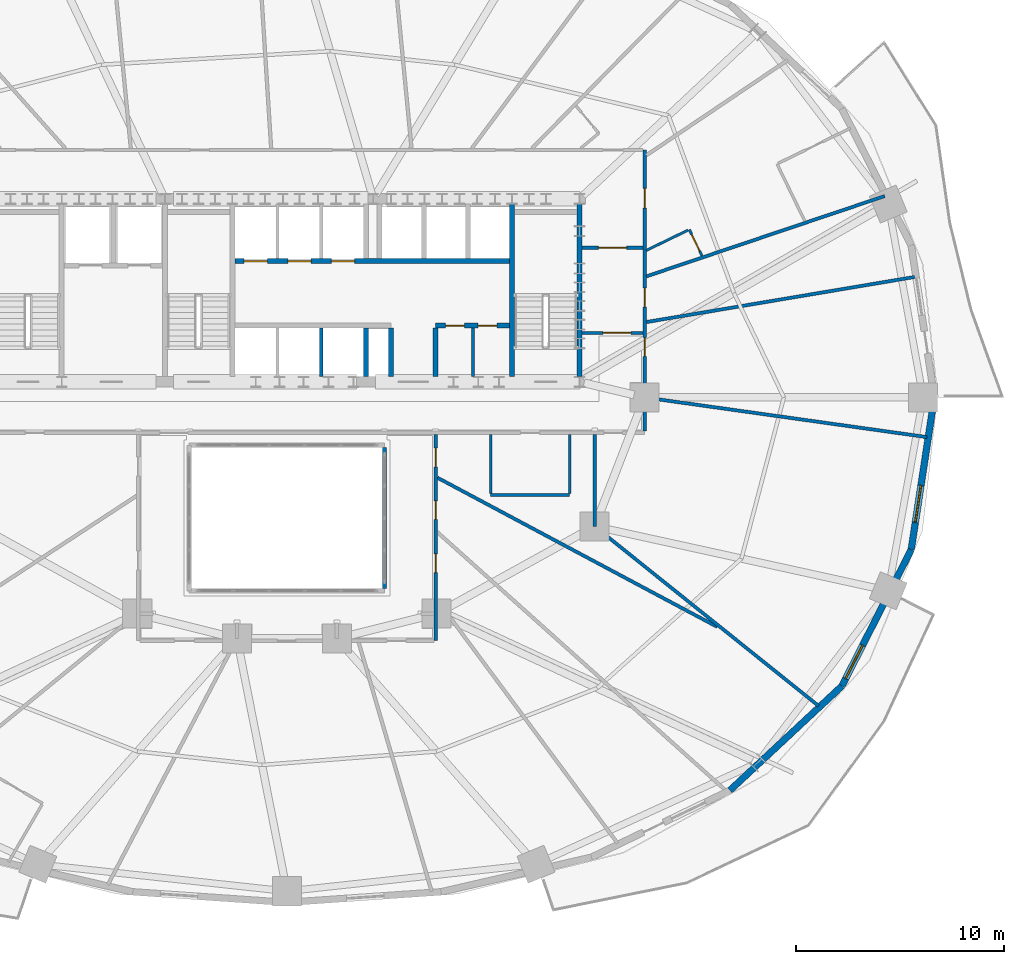
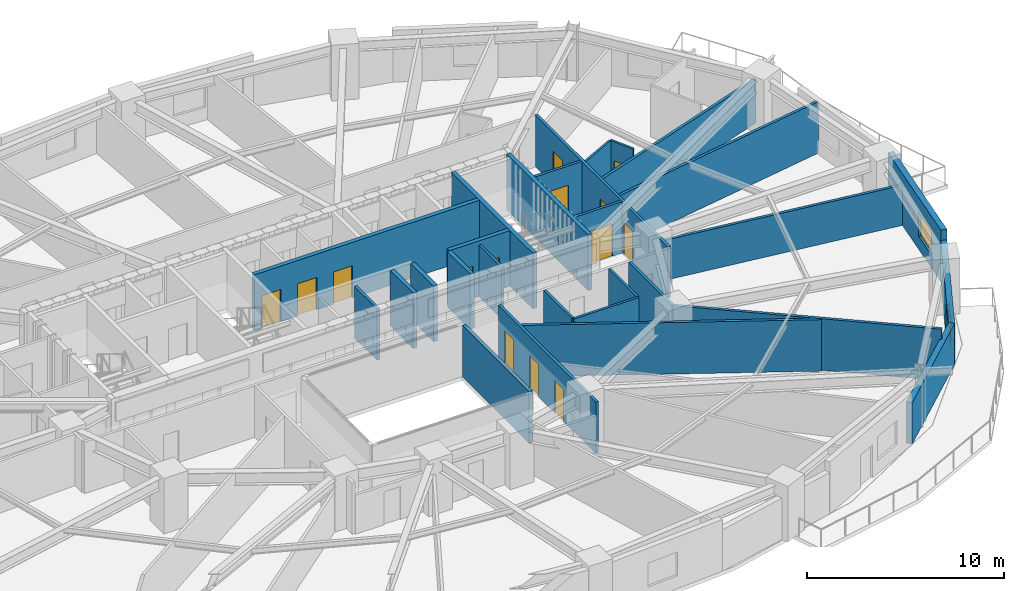
# One storey, part 11 of 17: 28 walls, 14 doors, 2 windows, 16 openings.
"""IFC4 building model written with IfcOpenShell, lengths in metres."""

from ifc_helpers import new_model, si_unit, direction, frame, frame_2d, origin, place, context, subcontext, project, spatial, rectangle, extrude, material, layer, layer_set, type_object, element, fill, save


model = new_model("IFC4")

# Units and contexts
model_context = context("Model", 3, precision=1e-05, world=origin(), true_north=direction((0.0, 1.0)))
body_context = subcontext(model_context, "Body", "Model", "MODEL_VIEW")
ifc_project = project(units=[si_unit("LENGTHUNIT", "METRE"), si_unit("AREAUNIT", "SQUARE_METRE"), si_unit("VOLUMEUNIT", "CUBIC_METRE"), si_unit("PLANEANGLEUNIT", "RADIAN"), si_unit("MASSUNIT", "GRAM", prefix="KILO")], contexts=[model_context])

# Site, building, storey
site_placement = place(None, origin())
site = spatial("IfcSite", under=ifc_project, at=site_placement, CompositionType="ELEMENT")
building_placement = place(site_placement, origin())
building = spatial("IfcBuilding", under=site, at=building_placement, Name="Haldorwick Loom Tower", CompositionType="ELEMENT")
storey_placement = place(building_placement, frame((0.0, 0.0, 65.39990234375)))
storey = spatial("IfcBuildingStorey", under=building, at=storey_placement, Name="L17", CompositionType="ELEMENT", Elevation=65.39990234375)

# Wall
ifc_material_1 = material(Name="Pressed Clay Face Brick and Insulated Masonry Backup Assembly", Category="masonry")
ifc_layer_1 = layer(ifc_material_1, 0.320068359375, Name="Pressed Clay Face Brick and Insulated Masonry Backup Assembly", Category="masonry")
ifc_layer_set_1 = layer_set([ifc_layer_1], Name="Pressed Clay Face Brick and Insulated Masonry Backup Assembly")
wall_type_1 = type_object("IfcWallType", Name="ARC-WL-EXT320", PredefinedType="STANDARD", material=ifc_layer_set_1)
wall_1_placement = place(storey_placement, frame((57.30419921875, 7.10400390625, 0.0), z_axis=(0.0, 0.0, 1.0), x_axis=(0.73176101237, 0.681561311091, 0.0)))
element("IfcWall", 1, at=wall_1_placement, inside=storey, type_object=wall_type_1, Name="L17 Brick Pier and Spandrel Wall 22", PredefinedType="STANDARD", context=body_context, shape_type="SweptSolid", body=[
    extrude(rectangle(XDim=7.3583984375, YDim=0.320068359375, at=frame_2d((3.67919921875, 0.0))), origin(), (0.0, 0.0, 1.0), 2.569091796875),
])

# Wall, opening, window
wall_2_placement = place(storey_placement, frame((62.688720703125, 12.119140625, 0.0), z_axis=(0.0, 0.0, 1.0), x_axis=(0.452950855928, 0.891535485617, 0.0)))
wall_2 = element("IfcWall", 2, at=wall_2_placement, inside=storey, type_object=wall_type_1, Name="L17 Brick Pier and Spandrel Wall 23", PredefinedType="STANDARD", context=body_context, shape_type="SweptSolid", body=[
    extrude(rectangle(XDim=7.3583984375, YDim=0.320068359375, at=frame_2d((3.67919921875, 0.0))), origin(), (0.0, 0.0, 1.0), 2.569091796875),
])
opening_1_placement = place(wall_2_placement, frame((0.400146484375, 0.0, 0.800048828125)))
opening_1 = element("IfcOpeningElement", 3, at=opening_1_placement, cuts=wall_2, Name="Opening W-01", PredefinedType="OPENING", context=body_context, shape_type="SweptSolid", body=[
    extrude(rectangle(XDim=1.800048828125, YDim=1.47998046875, at=frame_2d((0.89990234375, 0.739990234375))), frame((0.0, 0.169921875, 0.0), z_axis=(0.0, -1.0, 0.0), x_axis=(1.0, 0.0, 0.0)), (0.0, 0.0, 1.0), 0.340087890625),
])
ifc_material_2 = material(Name="Triple-Glazed Low-E Argon Insulated Glazing Unit", Category="glass")
window_type = type_object("IfcWindowType", Name="ARC-WIN-W180", PartitioningType="SINGLE_PANEL", PredefinedType="WINDOW", material=ifc_material_2)
window_1_placement = place(opening_1_placement, origin())
window_1 = element("IfcWindow", 4, at=window_1_placement, inside=storey, type_object=window_type, Name="L17 Deep-Set Zone 7A Window 23", OverallHeight=1.47998046875, OverallWidth=1.800048828125, PartitioningType="SINGLE_PANEL", PredefinedType="WINDOW", context=body_context, shape_type="SweptSolid", body=[
    extrude(rectangle(XDim=1.800048828125, YDim=1.47998046875, at=frame_2d((0.89990234375, 0.739990234375))), frame((0.0, 0.030029296875, 0.0), z_axis=(0.0, -1.0, 0.0), x_axis=(1.0, 0.0, 0.0)), (0.0, 0.0, 1.0), 0.06005859375),
])
fill(opening_1, window_1)

wall_3_placement = place(storey_placement, frame((66.021728515625, 18.679443359375, 0.0), z_axis=(0.0, 0.0, 1.0), x_axis=(0.150476322528, 0.988613613278, 0.0)))
wall_3 = element("IfcWall", 5, at=wall_3_placement, inside=storey, type_object=wall_type_1, Name="L17 Brick Pier and Spandrel Wall 24", PredefinedType="STANDARD", context=body_context, shape_type="SweptSolid", body=[
    extrude(rectangle(XDim=7.40478515625, YDim=0.320068359375, at=frame_2d((3.702392578125, 0.0))), origin(), (0.0, 0.0, 1.0), 3.210205078125),
])
opening_2_placement = place(wall_3_placement, frame((1.321533203125, 0.0, 0.800048828125)))
opening_2 = element("IfcOpeningElement", 6, at=opening_2_placement, cuts=wall_3, Name="Opening W-01", PredefinedType="OPENING", context=body_context, shape_type="SweptSolid", body=[
    extrude(rectangle(XDim=1.800048828125, YDim=1.47998046875, at=frame_2d((0.89990234375, 0.739990234375))), frame((0.0, 0.169921875, 0.0), z_axis=(0.0, -1.0, 0.0), x_axis=(1.0, 0.0, 0.0)), (0.0, 0.0, 1.0), 0.340087890625),
])
window_2_placement = place(opening_2_placement, origin())
window_2 = element("IfcWindow", 7, at=window_2_placement, inside=storey, type_object=window_type, Name="L17 Deep-Set Zone 7A Window 24", OverallHeight=1.47998046875, OverallWidth=1.800048828125, PartitioningType="SINGLE_PANEL", PredefinedType="WINDOW", context=body_context, shape_type="SweptSolid", body=[
    extrude(rectangle(XDim=1.800048828125, YDim=1.47998046875, at=frame_2d((0.89990234375, 0.739990234375))), frame((0.0, 0.030029296875, 0.0), z_axis=(0.0, -1.0, 0.0), x_axis=(1.0, 0.0, 0.0)), (0.0, 0.0, 1.0), 0.06005859375),
])
fill(opening_2, window_2)

# Wall, openings, doors
ifc_material_3 = material(Name="Fire-Rated Type X Gypsum Stud Assembly EI 60")
ifc_layer_2 = layer(ifc_material_3, 0.159912109375, Name="Fire-Rated Type X Gypsum Stud Assembly EI 60")
ifc_layer_set_2 = layer_set([ifc_layer_2], Name="Fire-Rated Type X Gypsum Stud Assembly EI 60")
wall_type_2 = type_object("IfcWallType", Name="ARC-WL-FIRE160", PredefinedType="PARTITIONING", material=ifc_layer_set_2)
wall_4_placement = place(storey_placement, frame((53.199951171875, 24.383056640625, 0.0), z_axis=(0.0, 0.0, 1.0), x_axis=(0.0, 1.0, 0.0)))
wall_4 = element("IfcWall", 8, at=wall_4_placement, inside=storey, type_object=wall_type_2, Name="L17 Residential Fire Partition L17-CR-E0", PredefinedType="PARTITIONING", context=body_context, shape_type="SweptSolid", body=[
    extrude(rectangle(XDim=13.516845703125, YDim=0.159912109375, at=frame_2d((6.75830078125, 0.0))), origin(), (0.0, 0.0, 1.0), 3.195068359375),
])
opening_3_placement = place(wall_4_placement, frame((10.71533203125, 0.0, 0.0)))
opening_3 = element("IfcOpeningElement", 9, at=opening_3_placement, cuts=wall_4, Name="Opening D-FL95", PredefinedType="OPENING", context=body_context, shape_type="SweptSolid", body=[
    extrude(rectangle(XDim=0.949951171875, YDim=2.0400390625, at=frame_2d((0.47509765625, 1.02001953125))), frame((0.0, 0.08984375, 0.0), z_axis=(0.0, -1.0, 0.0), x_axis=(1.0, 0.0, 0.0)), (0.0, 0.0, 1.0), 0.179931640625),
])
opening_4_placement = place(wall_4_placement, frame((3.5908203125, 0.0, 0.0)))
opening_4 = element("IfcOpeningElement", 10, at=opening_4_placement, cuts=wall_4, Name="Opening D-FD60A", PredefinedType="OPENING", context=body_context, shape_type="SweptSolid", body=[
    extrude(rectangle(XDim=0.89990234375, YDim=2.0, at=frame_2d((0.449951171875, 1.0))), frame((0.0, 0.08984375, 0.0), z_axis=(0.0, -1.0, 0.0), x_axis=(1.0, 0.0, 0.0)), (0.0, 0.0, 1.0), 0.179931640625),
])
opening_5_placement = place(wall_4_placement, frame((5.97607421875, 0.0, 0.0)))
opening_5 = element("IfcOpeningElement", 11, at=opening_5_placement, cuts=wall_4, Name="Opening D-FD60A", PredefinedType="OPENING", context=body_context, shape_type="SweptSolid", body=[
    extrude(rectangle(XDim=0.89990234375, YDim=2.0, at=frame_2d((0.449951171875, 1.0))), frame((0.0, 0.08984375, 0.0), z_axis=(0.0, -1.0, 0.0), x_axis=(1.0, 0.0, 0.0)), (0.0, 0.0, 1.0), 0.179931640625),
])
ifc_material_4 = material(Name="Hollow Steel Fire Door Assembly", Category="steel")
door_type_1 = type_object("IfcDoorType", Name="ARC-DR-FD60-90", OperationType="NOTDEFINED", PredefinedType="DOOR", material=ifc_material_4)
door_1_placement = place(opening_4_placement, origin())
door_1 = element("IfcDoor", 12, at=door_1_placement, inside=storey, type_object=door_type_1, Name="L17 L17 Central Residential Corridor to Tenant Seminar Meeting Room 14 D", OperationType="SINGLE_SWING_LEFT", OverallHeight=2.0, OverallWidth=0.89990234375, PredefinedType="DOOR", context=body_context, shape_type="SweptSolid", body=[
    extrude(rectangle(XDim=0.89990234375, YDim=2.0, at=frame_2d((0.449951171875, 1.0))), frame((0.0, 0.02490234375, 0.0), z_axis=(0.0, -1.0, 0.0), x_axis=(1.0, 0.0, 0.0)), (0.0, 0.0, 1.0), 0.050048828125),
])
fill(opening_4, door_1)
door_2_placement = place(opening_5_placement, origin())
door_2 = element("IfcDoor", 13, at=door_2_placement, inside=storey, type_object=door_type_1, Name="L17 L17 East Residential Corridor to Tenant Seminar Meeting Room 15 Door", OperationType="SINGLE_SWING_RIGHT", OverallHeight=2.0, OverallWidth=0.89990234375, PredefinedType="DOOR", context=body_context, shape_type="SweptSolid", body=[
    extrude(rectangle(XDim=0.89990234375, YDim=2.0, at=frame_2d((0.449951171875, 1.0))), frame((0.0, 0.02490234375, 0.0), z_axis=(0.0, -1.0, 0.0), x_axis=(1.0, 0.0, 0.0)), (0.0, 0.0, 1.0), 0.050048828125),
])
fill(opening_5, door_2)
ifc_material_5 = material(Name="Solid Core Birch Architectural Door")
door_type_2 = type_object("IfcDoorType", Name="ARC-DR-FLAT95", OperationType="NOTDEFINED", PredefinedType="DOOR", material=ifc_material_5)
door_3_placement = place(opening_3_placement, origin())
door_3 = element("IfcDoor", 14, at=door_3_placement, inside=storey, type_object=door_type_2, Name="L17 L17 North Residential Corridor to Unit 17G Kitchen and Living Room D", OperationType="SINGLE_SWING_LEFT", OverallHeight=2.0400390625, OverallWidth=0.949951171875, PredefinedType="DOOR", context=body_context, shape_type="SweptSolid", body=[
    extrude(rectangle(XDim=0.949951171875, YDim=2.0400390625, at=frame_2d((0.47509765625, 1.02001953125))), frame((0.0, 0.02490234375, 0.0), z_axis=(0.0, -1.0, 0.0), x_axis=(1.0, 0.0, 0.0)), (0.0, 0.0, 1.0), 0.050048828125),
])
fill(opening_3, door_3)

# Wall, opening, door
wall_5_placement = place(storey_placement, frame((50.193115234375, 29.10009765625, 0.0), z_axis=(0.0, 0.0, 1.0), x_axis=(1.0, 0.0, 0.0)))
wall_5 = element("IfcWall", 15, at=wall_5_placement, inside=storey, type_object=wall_type_2, Name="L17 Residential Fire Partition L17-CR-ESJ", PredefinedType="PARTITIONING", context=body_context, shape_type="SweptSolid", body=[
    extrude(rectangle(XDim=2.923828125, YDim=0.159912109375, at=frame_2d((1.4619140625, 0.0))), origin(), (0.0, 0.0, 1.0), 3.195068359375),
])
opening_6_placement = place(wall_5_placement, frame((0.99560546875, 0.0, 0.0)))
opening_6 = element("IfcOpeningElement", 16, at=opening_6_placement, cuts=wall_5, Name="Opening D-CR15", PredefinedType="OPENING", context=body_context, shape_type="SweptSolid", body=[
    extrude(rectangle(XDim=1.35009765625, YDim=2.0, at=frame_2d((0.675048828125, 1.0))), frame((0.0, 0.08984375, 0.0), z_axis=(0.0, -1.0, 0.0), x_axis=(1.0, 0.0, 0.0)), (0.0, 0.0, 1.0), 0.179931640625),
])
ifc_material_6 = material(Name="Thermally Broken Anodized Aluminium and Tempered Glass", Category="aluminium")
door_type_3 = type_object("IfcDoorType", Name="ARC-DR-COR150", OperationType="NOTDEFINED", PredefinedType="DOOR", material=ifc_material_6)
door_4_placement = place(opening_6_placement, origin())
door_4 = element("IfcDoor", 17, at=door_4_placement, inside=storey, type_object=door_type_3, Name="L17 L17 East Residential Corridor to L17 Central Residential Corridor Do", OperationType="DOUBLE_DOOR_SINGLE_SWING", OverallHeight=2.0, OverallWidth=1.35009765625, PredefinedType="DOOR", context=body_context, shape_type="SweptSolid", body=[
    extrude(rectangle(XDim=1.35009765625, YDim=2.0, at=frame_2d((0.675048828125, 1.0))), frame((0.0, 0.02490234375, 0.0), z_axis=(0.0, -1.0, 0.0), x_axis=(1.0, 0.0, 0.0)), (0.0, 0.0, 1.0), 0.050048828125),
])
fill(opening_6, door_4)

wall_6_placement = place(storey_placement, frame((50.193115234375, 33.199951171875, 0.0), z_axis=(0.0, 0.0, 1.0), x_axis=(1.0, 0.0, 0.0)))
wall_6 = element("IfcWall", 18, at=wall_6_placement, inside=storey, type_object=wall_type_2, Name="L17 Residential Fire Partition L17-CR-ENJ", PredefinedType="PARTITIONING", context=body_context, shape_type="SweptSolid", body=[
    extrude(rectangle(XDim=2.923828125, YDim=0.159912109375, at=frame_2d((1.4619140625, 0.0))), origin(), (0.0, 0.0, 1.0), 3.195068359375),
])
opening_7_placement = place(wall_6_placement, frame((0.787109375, 0.0, 0.0)))
opening_7 = element("IfcOpeningElement", 19, at=opening_7_placement, cuts=wall_6, Name="Opening D-CR15", PredefinedType="OPENING", context=body_context, shape_type="SweptSolid", body=[
    extrude(rectangle(XDim=1.35009765625, YDim=2.0, at=frame_2d((0.675048828125, 1.0))), frame((0.0, 0.08984375, 0.0), z_axis=(0.0, -1.0, 0.0), x_axis=(1.0, 0.0, 0.0)), (0.0, 0.0, 1.0), 0.179931640625),
])
door_5_placement = place(opening_7_placement, origin())
door_5 = element("IfcDoor", 20, at=door_5_placement, inside=storey, type_object=door_type_3, Name="L17 L17 North Residential Corridor to L17 East Residential Corridor Door", OperationType="DOUBLE_DOOR_SINGLE_SWING", OverallHeight=2.0, OverallWidth=1.35009765625, PredefinedType="DOOR", context=body_context, shape_type="SweptSolid", body=[
    extrude(rectangle(XDim=1.35009765625, YDim=2.0, at=frame_2d((0.675048828125, 1.0))), frame((0.0, 0.02490234375, 0.0), z_axis=(0.0, -1.0, 0.0), x_axis=(1.0, 0.0, 0.0)), (0.0, 0.0, 1.0), 0.050048828125),
])
fill(opening_7, door_5)

# Wall, openings, doors
wall_7_placement = place(storey_placement, frame((43.14990234375, 14.300048828125, 0.0), z_axis=(0.0, 0.0, 1.0), x_axis=(0.0, 1.0, 0.0)))
wall_7 = element("IfcWall", 21, at=wall_7_placement, inside=storey, type_object=wall_type_2, Name="L17 Residential Fire Partition L17-CR-AE", PredefinedType="PARTITIONING", context=body_context, shape_type="SweptSolid", body=[
    extrude(rectangle(XDim=9.9169921875, YDim=0.159912109375, at=frame_2d((4.95849609375, 0.0))), origin(), (0.0, 0.0, 1.0), 3.195068359375),
])
opening_8_placement = place(wall_7_placement, frame((3.27978515625, 0.0, 0.0)))
opening_8 = element("IfcOpeningElement", 22, at=opening_8_placement, cuts=wall_7, Name="Opening D-FD60A", PredefinedType="OPENING", context=body_context, shape_type="SweptSolid", body=[
    extrude(rectangle(XDim=0.89990234375, YDim=2.0, at=frame_2d((0.449951171875, 1.0))), frame((0.0, 0.08984375, 0.0), z_axis=(0.0, -1.0, 0.0), x_axis=(1.0, 0.0, 0.0)), (0.0, 0.0, 1.0), 0.179931640625),
])
opening_9_placement = place(wall_7_placement, frame((5.830810546875, 0.0, 0.0)))
opening_9 = element("IfcOpeningElement", 23, at=opening_9_placement, cuts=wall_7, Name="Opening D-FD60A", PredefinedType="OPENING", context=body_context, shape_type="SweptSolid", body=[
    extrude(rectangle(XDim=0.89990234375, YDim=2.0, at=frame_2d((0.449951171875, 1.0))), frame((0.0, 0.08984375, 0.0), z_axis=(0.0, -1.0, 0.0), x_axis=(1.0, 0.0, 0.0)), (0.0, 0.0, 1.0), 0.179931640625),
])
opening_10_placement = place(wall_7_placement, frame((8.364990234375, 0.0, 0.0)))
opening_10 = element("IfcOpeningElement", 24, at=opening_10_placement, cuts=wall_7, Name="Opening D-FD60A", PredefinedType="OPENING", context=body_context, shape_type="SweptSolid", body=[
    extrude(rectangle(XDim=0.89990234375, YDim=2.0, at=frame_2d((0.449951171875, 1.0))), frame((0.0, 0.08984375, 0.0), z_axis=(0.0, -1.0, 0.0), x_axis=(1.0, 0.0, 0.0)), (0.0, 0.0, 1.0), 0.179931640625),
])
door_6_placement = place(opening_8_placement, origin())
door_6 = element("IfcDoor", 25, at=door_6_placement, inside=storey, type_object=door_type_1, Name="L17 L17 South Atrium Corridor to Tenant Seminar Meeting Room 11 Door", OperationType="SINGLE_SWING_LEFT", OverallHeight=2.0, OverallWidth=0.89990234375, PredefinedType="DOOR", context=body_context, shape_type="SweptSolid", body=[
    extrude(rectangle(XDim=0.89990234375, YDim=2.0, at=frame_2d((0.449951171875, 1.0))), frame((0.0, 0.02490234375, 0.0), z_axis=(0.0, -1.0, 0.0), x_axis=(1.0, 0.0, 0.0)), (0.0, 0.0, 1.0), 0.050048828125),
])
fill(opening_8, door_6)
door_7_placement = place(opening_9_placement, origin())
door_7 = element("IfcDoor", 26, at=door_7_placement, inside=storey, type_object=door_type_1, Name="L17 L17 South Atrium Corridor to Tenant Seminar Meeting Room 12 Door", OperationType="SINGLE_SWING_LEFT", OverallHeight=2.0, OverallWidth=0.89990234375, PredefinedType="DOOR", context=body_context, shape_type="SweptSolid", body=[
    extrude(rectangle(XDim=0.89990234375, YDim=2.0, at=frame_2d((0.449951171875, 1.0))), frame((0.0, 0.02490234375, 0.0), z_axis=(0.0, -1.0, 0.0), x_axis=(1.0, 0.0, 0.0)), (0.0, 0.0, 1.0), 0.050048828125),
])
fill(opening_9, door_7)
door_8_placement = place(opening_10_placement, origin())
door_8 = element("IfcDoor", 27, at=door_8_placement, inside=storey, type_object=door_type_1, Name="L17 L17 South Atrium Corridor to Telehealth Consultation Room 1 Door", OperationType="SINGLE_SWING_LEFT", OverallHeight=2.0, OverallWidth=0.89990234375, PredefinedType="DOOR", context=body_context, shape_type="SweptSolid", body=[
    extrude(rectangle(XDim=0.89990234375, YDim=2.0, at=frame_2d((0.449951171875, 1.0))), frame((0.0, 0.02490234375, 0.0), z_axis=(0.0, -1.0, 0.0), x_axis=(1.0, 0.0, 0.0)), (0.0, 0.0, 1.0), 0.050048828125),
])
fill(opening_10, door_8)

# Walls
wall_8_placement = place(storey_placement, frame((53.282958984375, 25.98828125, 0.0), z_axis=(0.0, 0.0, 1.0), x_axis=(0.990269349873, -0.139163984935, 0.0)))
element("IfcWall", 28, at=wall_8_placement, inside=storey, type_object=wall_type_2, Name="L17 Residential Fire Partition L17-ICR-01", PredefinedType="PARTITIONING", context=body_context, shape_type="SweptSolid", body=[
    extrude(rectangle(XDim=13.62939453125, YDim=0.159912109375, at=frame_2d((6.814697265625, 0.0))), origin(), (0.0, 0.0, 1.0), 2.489990234375),
])
wall_9_placement = place(storey_placement, frame((50.800048828125, 19.800048828125, 0.0), z_axis=(0.0, 0.0, 1.0), x_axis=(0.780107253362, -0.625645804951, 0.0)))
element("IfcWall", 29, at=wall_9_placement, inside=storey, type_object=wall_type_2, Name="L17 Residential Fire Partition L17-ICR-03", PredefinedType="PARTITIONING", context=body_context, shape_type="SweptSolid", body=[
    extrude(rectangle(XDim=13.80322265625, YDim=0.159912109375, at=frame_2d((6.901611328125, 0.0))), origin(), (0.0, 0.0, 1.0), 3.195068359375),
])
wall_10_placement = place(storey_placement, frame((50.800048828125, 24.217041015625, 0.0), z_axis=(0.0, 0.0, 1.0), x_axis=(0.0, -1.0, 0.0)))
element("IfcWall", 30, at=wall_10_placement, inside=storey, type_object=wall_type_2, Name="L17 Residential Fire Partition L17-ICA-02", PredefinedType="PARTITIONING", context=body_context, shape_type="SweptSolid", body=[
    extrude(rectangle(XDim=4.4169921875, YDim=0.159912109375, at=frame_2d((2.20849609375, 0.0))), origin(), (0.0, 0.0, 1.0), 3.195068359375),
])
wall_11_placement = place(storey_placement, frame((43.23291015625, 22.142822265625, 0.0), z_axis=(0.0, 0.0, 1.0), x_axis=(0.88238216171, -0.470533442696, 0.0)))
element("IfcWall", 31, at=wall_11_placement, inside=storey, type_object=wall_type_2, Name="L17 Suite Split Wall", PredefinedType="PARTITIONING", context=body_context, shape_type="SweptSolid", body=[
    extrude(rectangle(XDim=15.263916015625, YDim=0.159912109375, at=frame_2d((7.6318359375, 0.0))), origin(), (0.0, 0.0, 1.0), 3.195068359375),
])
wall_12_placement = place(storey_placement, frame((53.282958984375, 31.821533203125, 0.0), z_axis=(0.0, 0.0, 1.0), x_axis=(0.947679669312, 0.319222875705, 0.0)))
element("IfcWall", 32, at=wall_12_placement, inside=storey, type_object=wall_type_2, Name="L17 Suite Split Wall", PredefinedType="PARTITIONING", context=body_context, shape_type="SweptSolid", body=[
    extrude(rectangle(XDim=12.098388671875, YDim=0.159912109375, at=frame_2d((6.04931640625, 0.0))), origin(), (0.0, 0.0, 1.0), 2.718994140625),
])
wall_13_placement = place(storey_placement, frame((53.282958984375, 29.624267578125, 0.0), z_axis=(0.0, 0.0, 1.0), x_axis=(0.986169646763, 0.16573903524, 0.0)))
element("IfcWall", 33, at=wall_13_placement, inside=storey, type_object=wall_type_2, Name="L17 Suite Split Wall", PredefinedType="PARTITIONING", context=body_context, shape_type="SweptSolid", body=[
    extrude(rectangle(XDim=13.08642578125, YDim=0.159912109375, at=frame_2d((6.543212890625, 0.0))), origin(), (0.0, 0.0, 1.0), 3.195068359375),
])
ifc_material_7 = material(Name="Fire-Rated Type X Gypsum Stud Assembly EI 120")
ifc_layer_3 = layer(ifc_material_7, 0.199951171875, Name="Fire-Rated Type X Gypsum Stud Assembly EI 120")
ifc_layer_set_3 = layer_set([ifc_layer_3], Name="Fire-Rated Type X Gypsum Stud Assembly EI 120")
wall_type_3 = type_object("IfcWallType", Name="ARC-WL-FIRE200", PredefinedType="PARTITIONING", material=ifc_layer_set_3)
wall_14_placement = place(storey_placement, frame((40.699951171875, 23.596923828125, 0.0), z_axis=(0.0, 0.0, 1.0), x_axis=(0.0, -1.0, 0.0)))
element("IfcWall", 34, at=wall_14_placement, inside=storey, type_object=wall_type_3, Name="L17 Atrium Fire Enclosure Wall E", PredefinedType="PARTITIONING", context=body_context, shape_type="SweptSolid", body=[
    extrude(rectangle(XDim=6.7939453125, YDim=0.199951171875, at=frame_2d((3.39697265625, 0.0))), origin(), (0.0, 0.0, 1.0), 3.195068359375),
])

# Wall, opening, door
ifc_material_8 = material(Name="Acoustic Gypsum Stud Assembly STC 55")
ifc_layer_4 = layer(ifc_material_8, 0.1201171875, Name="Acoustic Gypsum Stud Assembly STC 55")
ifc_layer_set_4 = layer_set([ifc_layer_4], Name="Acoustic Gypsum Stud Assembly STC 55")
wall_type_4 = type_object("IfcWallType", Name="ARC-WL-PART120", PredefinedType="PARTITIONING", material=ifc_layer_set_4)
wall_15_placement = place(storey_placement, frame((55.963623046875, 32.81201171875, 0.0), z_axis=(0.0, 0.0, 1.0), x_axis=(-0.436960237417, 0.899480822984, 0.0)))
wall_15 = element("IfcWall", 35, at=wall_15_placement, inside=storey, type_object=wall_type_4, Name="L17 Unit 17G Interior Partition", PredefinedType="PARTITIONING", context=body_context, shape_type="SweptSolid", body=[
    extrude(rectangle(XDim=1.404052734375, YDim=0.1201171875, at=frame_2d((0.7021484375, 0.0))), origin(), (0.0, 0.0, 1.0), 3.195068359375),
])
opening_11_placement = place(wall_15_placement, frame((0.261962890625, 0.0, 0.0)))
opening_11 = element("IfcOpeningElement", 36, at=opening_11_placement, cuts=wall_15, Name="Opening D-BT88", PredefinedType="OPENING", context=body_context, shape_type="SweptSolid", body=[
    extrude(rectangle(XDim=0.8798828125, YDim=2.02001953125, at=frame_2d((0.43994140625, 1.010009765625))), frame((0.0, 0.070068359375, 0.0), z_axis=(0.0, -1.0, 0.0), x_axis=(1.0, 0.0, 0.0)), (0.0, 0.0, 1.0), 0.14013671875),
])
door_type_4 = type_object("IfcDoorType", Name="ARC-DR-BATH88", OperationType="NOTDEFINED", PredefinedType="DOOR", material=ifc_material_5)
door_9_placement = place(opening_11_placement, origin())
door_9 = element("IfcDoor", 37, at=door_9_placement, inside=storey, type_object=door_type_4, Name="L17 Unit 17G Bathroom to Unit 17G Kitchen and Living Room Door", OperationType="SINGLE_SWING_LEFT", OverallHeight=2.02001953125, OverallWidth=0.8798828125, PredefinedType="DOOR", context=body_context, shape_type="SweptSolid", body=[
    extrude(rectangle(XDim=0.8798828125, YDim=2.02001953125, at=frame_2d((0.43994140625, 1.010009765625))), frame((0.0, 0.02490234375, 0.0), z_axis=(0.0, -1.0, 0.0), x_axis=(1.0, 0.0, 0.0)), (0.0, 0.0, 1.0), 0.050048828125),
])
fill(opening_11, door_9)

# Walls
wall_16_placement = place(storey_placement, frame((53.282958984375, 33.070556640625, 0.0), z_axis=(0.0, 0.0, 1.0), x_axis=(0.899459095921, 0.437004959657, 0.0)))
element("IfcWall", 38, at=wall_16_placement, inside=storey, type_object=wall_type_4, Name="L17 Unit 17G Interior Partition", PredefinedType="PARTITIONING", context=body_context, shape_type="SweptSolid", body=[
    extrude(rectangle(XDim=2.2353515625, YDim=0.1201171875, at=frame_2d((1.11767578125, 0.0))), origin(), (0.0, 0.0, 1.0), 3.195068359375),
])
ifc_layer_5 = layer(ifc_material_3, 0.139892578125, Name="Fire-Rated Type X Gypsum Stud Assembly EI 60")
ifc_layer_set_5 = layer_set([ifc_layer_5], Name="Fire-Rated Type X Gypsum Stud Assembly EI 60")
wall_type_5 = type_object("IfcWallType", Name="ARC-WL-PART140", PredefinedType="PARTITIONING", material=ifc_layer_set_5)
wall_17_placement = place(storey_placement, frame((44.949951171875, 27.0029296875, 0.0), z_axis=(0.0, 0.0, 1.0), x_axis=(0.0, 1.0, 0.0)))
element("IfcWall", 39, at=wall_17_placement, inside=storey, type_object=wall_type_5, Name="L17 Service Partition", PredefinedType="PARTITIONING", context=body_context, shape_type="SweptSolid", body=[
    extrude(rectangle(XDim=2.323974609375, YDim=0.139892578125, at=frame_2d((1.162109375, 0.0))), origin(), (0.0, 0.0, 1.0), 3.195068359375),
])
wall_18_placement = place(storey_placement, frame((45.800048828125, 21.300048828125, 0.0), z_axis=(0.0, 0.0, 1.0), x_axis=(1.0, 0.0, 0.0)))
element("IfcWall", 40, at=wall_18_placement, inside=storey, type_object=wall_type_5, Name="L17 Residential Fire Partition L17-CWC-S", PredefinedType="PARTITIONING", context=body_context, shape_type="SweptSolid", body=[
    extrude(rectangle(XDim=3.800048828125, YDim=0.139892578125, at=frame_2d((1.89990234375, 0.0))), origin(), (0.0, 0.0, 1.0), 3.195068359375),
])
for number, where, z_axis, x_axis, name in (
    (41, (45.800048828125, 21.373046875, 0.0), (0.0, 0.0, 1.0), (0.0, 1.0, 0.0), "L17 Residential Fire Partition L17-CWC-W"),
    (42, (49.60009765625, 21.373046875, 0.0), (0.0, 0.0, 1.0), (0.0, 1.0, 0.0), "L17 Residential Fire Partition L17-CWC-E"),
):
    element("IfcWall", number, at=place(storey_placement, frame(where, z_axis=z_axis, x_axis=x_axis)), inside=storey, type_object=wall_type_5, Name=name, PredefinedType="PARTITIONING", context=body_context, shape_type="SweptSolid", body=[
        extrude(rectangle(XDim=2.843994140625, YDim=0.139892578125, at=frame_2d((1.421875, 0.0))), origin(), (0.0, 0.0, 1.0), 3.195068359375),
    ])
ifc_layer_6 = layer(ifc_material_7, 0.1650390625, Name="Fire-Rated Type X Gypsum Stud Assembly EI 120")
ifc_layer_set_6 = layer_set([ifc_layer_6], Name="Fire-Rated Type X Gypsum Stud Assembly EI 120")
wall_type_6 = type_object("IfcWallType", Name="ARC-WL-SHAFT160", PredefinedType="MOVABLE", material=ifc_layer_set_6)
wall_19_placement = place(storey_placement, frame((37.64990234375, 27.0029296875, 0.0), z_axis=(0.0, 0.0, 1.0), x_axis=(0.0, 1.0, 0.0)))
element("IfcWall", 43, at=wall_19_placement, inside=storey, type_object=wall_type_6, Name="L17 Mid-Rise Hoistway Divider 2", PredefinedType="MOVABLE", context=body_context, shape_type="SweptSolid", body=[
    extrude(rectangle(XDim=2.323974609375, YDim=0.159912109375, at=frame_2d((1.162109375, 0.0))), origin(), (0.0, 0.0, 1.0), 3.195068359375),
])
ifc_material_9 = material(Name="Concrete C50 (50 MPa)", Category="concrete")
ifc_layer_7 = layer(ifc_material_9, 0.239990234375, Name="Concrete C50 (50 MPa)", Category="concrete")
ifc_layer_set_7 = layer_set([ifc_layer_7], Name="Concrete C50 (50 MPa)")
wall_type_7 = type_object("IfcWallType", Name="STR-WL-SHAFT240", PredefinedType="SHEAR", material=ifc_layer_set_7)
for number, where, z_axis, x_axis, name in (
    (44, (50.070068359375, 27.0029296875, 0.0), (0.0, 0.0, 1.0), (0.0, 1.0, 0.0), "L17 Core Shear Wall E"),
    (45, (46.830078125, 27.0029296875, 0.0), (0.0, 0.0, 1.0), (0.0, 1.0, 0.0), "L17 Core Shear Wall 4"),
):
    element("IfcWall", number, at=place(storey_placement, frame(where, z_axis=z_axis, x_axis=x_axis)), inside=storey, type_object=wall_type_7, Name=name, PredefinedType="SHEAR", context=body_context, shape_type="SweptSolid", body=[
        extrude(rectangle(XDim=8.294189453125, YDim=0.239990234375, at=frame_2d((4.14697265625, 0.0))), origin(), (0.0, 0.0, 1.0), 3.4501953125),
    ])

# Wall, openings, doors
wall_20_placement = place(storey_placement, frame((33.492919921875, 32.550048828125, 0.0), z_axis=(0.0, 0.0, 1.0), x_axis=(1.0, 0.0, 0.0)))
wall_20 = element("IfcWall", 46, at=wall_20_placement, inside=storey, type_object=wall_type_7, Name="L17 Core Shear Wall LN", PredefinedType="SHEAR", context=body_context, shape_type="SweptSolid", body=[
    extrude(rectangle(XDim=13.214111328125, YDim=0.239990234375, at=frame_2d((6.60693359375, 0.0))), origin(), (0.0, 0.0, 1.0), 3.4501953125),
])
opening_12_placement = place(wall_20_placement, frame((0.447021484375, 0.0, 0.0)))
opening_12 = element("IfcOpeningElement", 47, at=opening_12_placement, cuts=wall_20, Name="Opening LD-L1", PredefinedType="OPENING", context=body_context, shape_type="SweptSolid", body=[
    extrude(rectangle(XDim=1.1201171875, YDim=2.0, at=frame_2d((0.56005859375, 1.0))), frame((0.0, 0.1298828125, 0.0), z_axis=(0.0, -1.0, 0.0), x_axis=(1.0, 0.0, 0.0)), (0.0, 0.0, 1.0), 0.260009765625),
])
opening_13_placement = place(wall_20_placement, frame((2.547119140625, 0.0, 0.0)))
opening_13 = element("IfcOpeningElement", 48, at=opening_13_placement, cuts=wall_20, Name="Opening LD-L2", PredefinedType="OPENING", context=body_context, shape_type="SweptSolid", body=[
    extrude(rectangle(XDim=1.1201171875, YDim=2.0, at=frame_2d((0.56005859375, 1.0))), frame((0.0, 0.1298828125, 0.0), z_axis=(0.0, -1.0, 0.0), x_axis=(1.0, 0.0, 0.0)), (0.0, 0.0, 1.0), 0.260009765625),
])
opening_14_placement = place(wall_20_placement, frame((4.64697265625, 0.0, 0.0)))
opening_14 = element("IfcOpeningElement", 49, at=opening_14_placement, cuts=wall_20, Name="Opening LD-L3", PredefinedType="OPENING", context=body_context, shape_type="SweptSolid", body=[
    extrude(rectangle(XDim=1.1201171875, YDim=2.0, at=frame_2d((0.56005859375, 1.0))), frame((0.0, 0.1298828125, 0.0), z_axis=(0.0, -1.0, 0.0), x_axis=(1.0, 0.0, 0.0)), (0.0, 0.0, 1.0), 0.260009765625),
])
door_type_5 = type_object("IfcDoorType", Name="ARC-DR-LD-PAX", OperationType="NOTDEFINED", PredefinedType="USERDEFINED", material=ifc_material_4)
door_10_placement = place(opening_12_placement, origin())
door_10 = element("IfcDoor", 50, at=door_10_placement, inside=storey, type_object=door_type_5, Name="L17 Lift LF-L1 Sliding Landing Door", ObjectType="LANDING DOOR", OperationType="DOUBLE_DOOR_SLIDING", OverallHeight=2.0, OverallWidth=1.1201171875, PredefinedType="USERDEFINED", context=body_context, shape_type="SweptSolid", body=[
    extrude(rectangle(XDim=1.1201171875, YDim=2.0, at=frame_2d((0.56005859375, 1.0))), frame((0.0, 0.02490234375, 0.0), z_axis=(0.0, -1.0, 0.0), x_axis=(1.0, 0.0, 0.0)), (0.0, 0.0, 1.0), 0.050048828125),
])
fill(opening_12, door_10)
door_11_placement = place(opening_13_placement, origin())
door_11 = element("IfcDoor", 51, at=door_11_placement, inside=storey, type_object=door_type_5, Name="L17 Lift LF-L2 Sliding Landing Door", ObjectType="LANDING DOOR", OperationType="DOUBLE_DOOR_SLIDING", OverallHeight=2.0, OverallWidth=1.1201171875, PredefinedType="USERDEFINED", context=body_context, shape_type="SweptSolid", body=[
    extrude(rectangle(XDim=1.1201171875, YDim=2.0, at=frame_2d((0.56005859375, 1.0))), frame((0.0, 0.02490234375, 0.0), z_axis=(0.0, -1.0, 0.0), x_axis=(1.0, 0.0, 0.0)), (0.0, 0.0, 1.0), 0.050048828125),
])
fill(opening_13, door_11)
door_12_placement = place(opening_14_placement, origin())
door_12 = element("IfcDoor", 52, at=door_12_placement, inside=storey, type_object=door_type_5, Name="L17 Lift LF-L3 Sliding Landing Door", ObjectType="LANDING DOOR", OperationType="DOUBLE_DOOR_SLIDING", OverallHeight=2.0, OverallWidth=1.1201171875, PredefinedType="USERDEFINED", context=body_context, shape_type="SweptSolid", body=[
    extrude(rectangle(XDim=1.1201171875, YDim=2.0, at=frame_2d((0.56005859375, 1.0))), frame((0.0, 0.02490234375, 0.0), z_axis=(0.0, -1.0, 0.0), x_axis=(1.0, 0.0, 0.0)), (0.0, 0.0, 1.0), 0.050048828125),
])
fill(opening_14, door_12)

wall_21_placement = place(storey_placement, frame((43.14990234375, 29.449951171875, 0.0), z_axis=(0.0, 0.0, 1.0), x_axis=(1.0, 0.0, 0.0)))
wall_21 = element("IfcWall", 53, at=wall_21_placement, inside=storey, type_object=wall_type_7, Name="L17 Core Shear Wall LS2", PredefinedType="SHEAR", context=body_context, shape_type="SweptSolid", body=[
    extrude(rectangle(XDim=3.55712890625, YDim=0.239990234375, at=frame_2d((1.778564453125, 0.0))), origin(), (0.0, 0.0, 1.0), 3.4501953125),
])
opening_15_placement = place(wall_21_placement, frame((0.47998046875, 0.0, 0.0)))
opening_15 = element("IfcOpeningElement", 54, at=opening_15_placement, cuts=wall_21, Name="Opening D-FD60A", PredefinedType="OPENING", context=body_context, shape_type="SweptSolid", body=[
    extrude(rectangle(XDim=0.89990234375, YDim=2.0, at=frame_2d((0.449951171875, 1.0))), frame((0.0, 0.1298828125, 0.0), z_axis=(0.0, -1.0, 0.0), x_axis=(1.0, 0.0, 0.0)), (0.0, 0.0, 1.0), 0.260009765625),
])
opening_16_placement = place(wall_21_placement, frame((2.050048828125, 0.0, 0.0)))
opening_16 = element("IfcOpeningElement", 55, at=opening_16_placement, cuts=wall_21, Name="Opening D-FD60A", PredefinedType="OPENING", context=body_context, shape_type="SweptSolid", body=[
    extrude(rectangle(XDim=0.89990234375, YDim=2.0, at=frame_2d((0.449951171875, 1.0))), frame((0.0, 0.1298828125, 0.0), z_axis=(0.0, -1.0, 0.0), x_axis=(1.0, 0.0, 0.0)), (0.0, 0.0, 1.0), 0.260009765625),
])
door_13_placement = place(opening_15_placement, origin())
door_13 = element("IfcDoor", 56, at=door_13_placement, inside=storey, type_object=door_type_1, Name="L17 Electrical Room Door", OperationType="SINGLE_SWING_LEFT", OverallHeight=2.0, OverallWidth=0.89990234375, PredefinedType="DOOR", context=body_context, shape_type="SweptSolid", body=[
    extrude(rectangle(XDim=0.89990234375, YDim=2.0, at=frame_2d((0.449951171875, 1.0))), frame((0.0, 0.02490234375, 0.0), z_axis=(0.0, -1.0, 0.0), x_axis=(1.0, 0.0, 0.0)), (0.0, 0.0, 1.0), 0.050048828125),
])
fill(opening_15, door_13)
door_14_placement = place(opening_16_placement, origin())
door_14 = element("IfcDoor", 57, at=door_14_placement, inside=storey, type_object=door_type_1, Name="L17 Cleaner's Store Door", OperationType="SINGLE_SWING_LEFT", OverallHeight=2.0, OverallWidth=0.89990234375, PredefinedType="DOOR", context=body_context, shape_type="SweptSolid", body=[
    extrude(rectangle(XDim=0.89990234375, YDim=2.0, at=frame_2d((0.449951171875, 1.0))), frame((0.0, 0.02490234375, 0.0), z_axis=(0.0, -1.0, 0.0), x_axis=(1.0, 0.0, 0.0)), (0.0, 0.0, 1.0), 0.050048828125),
])
fill(opening_16, door_14)

# Walls
for number, where, z_axis, x_axis, name in (
    (58, (41.0, 27.0029296875, 0.0), (0.0, 0.0, 1.0), (0.0, 1.0, 0.0), "L17 Core Shear Wall THW"),
    (59, (43.14990234375, 27.0029296875, 0.0), (0.0, 0.0, 1.0), (0.0, 1.0, 0.0), "L17 Core Shear Wall THE"),
    (60, (39.800048828125, 27.0029296875, 0.0), (0.0, 0.0, 1.0), (0.0, 1.0, 0.0), "L17 Core Shear Wall MRW"),
):
    element("IfcWall", number, at=place(storey_placement, frame(where, z_axis=z_axis, x_axis=x_axis)), inside=storey, type_object=wall_type_7, Name=name, PredefinedType="SHEAR", context=body_context, shape_type="SweptSolid", body=[
        extrude(rectangle(XDim=2.323974609375, YDim=0.239990234375, at=frame_2d((1.162109375, 0.0))), origin(), (0.0, 0.0, 1.0), 3.4501953125),
    ])

save(model, "model.ifc")
